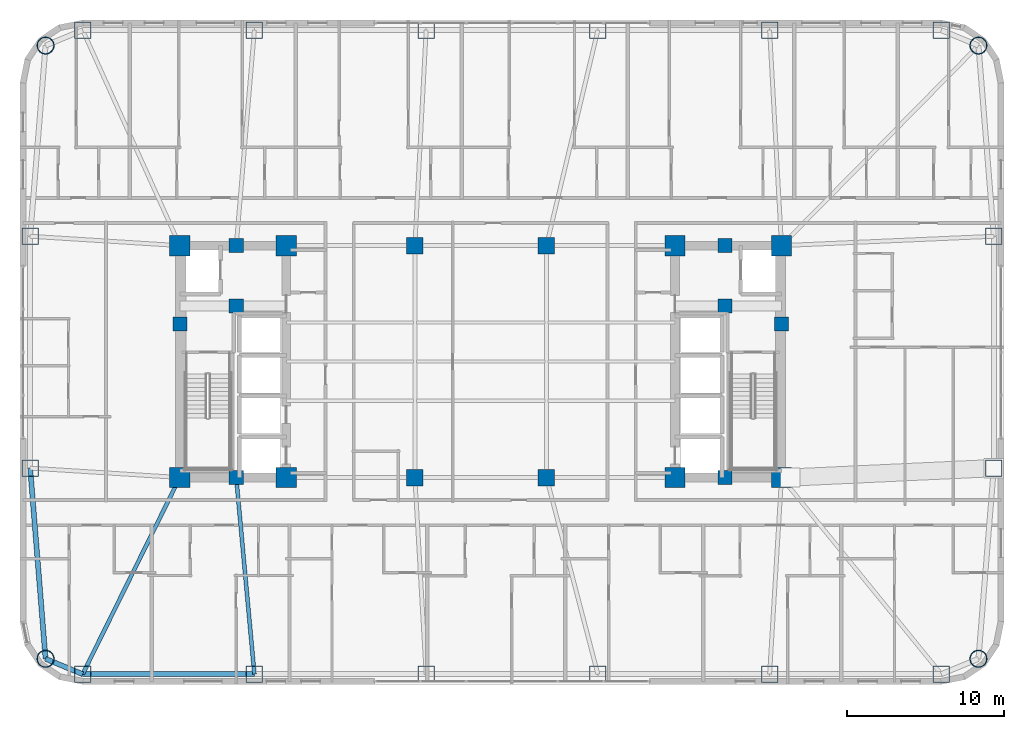
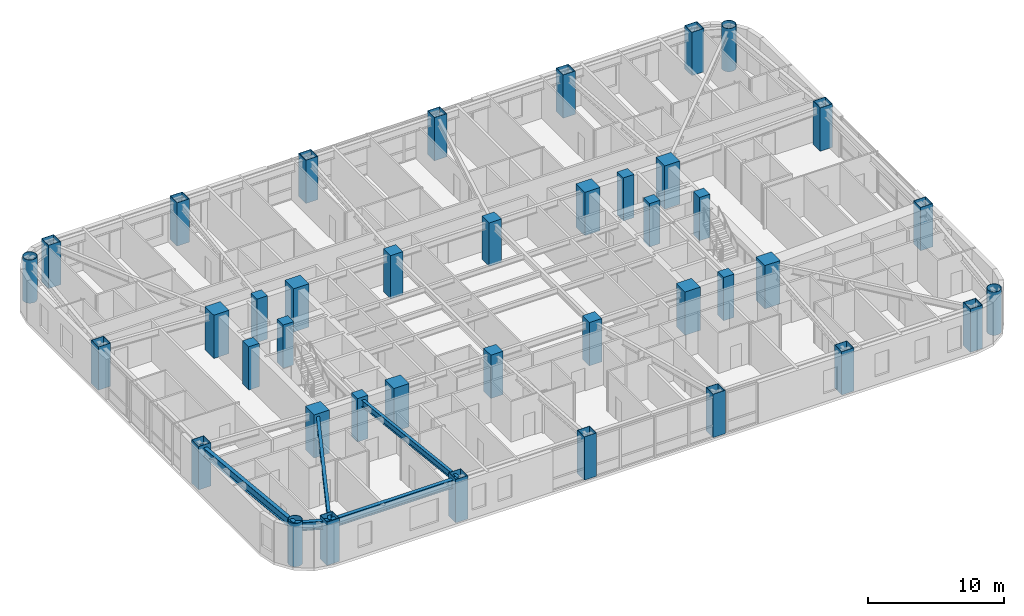
# One storey, part 1 of 28: 40 columns, 5 beams.
"""IFC4 building model written with IfcOpenShell, lengths in metres."""

from ifc_helpers import new_model, si_unit, direction, frame, origin, origin_2d, place, context, subcontext, project, spatial, rectangle, hollow_rectangle, hollow_circle, i_section, extrude, material, material_profile, profile_set, type_object, element, save


model = new_model("IFC4")

# Units and contexts
model_context = context("Model", 3, precision=1e-05, world=origin(), true_north=direction((0.0, 1.0)))
body_context = subcontext(model_context, "Body", "Model", "MODEL_VIEW")
ifc_project = project(units=[si_unit("LENGTHUNIT", "METRE"), si_unit("AREAUNIT", "SQUARE_METRE"), si_unit("VOLUMEUNIT", "CUBIC_METRE"), si_unit("PLANEANGLEUNIT", "RADIAN"), si_unit("MASSUNIT", "GRAM", prefix="KILO")], contexts=[model_context])

# Site, building, storey
site_placement = place(None, origin())
site = spatial("IfcSite", under=ifc_project, at=site_placement, CompositionType="ELEMENT")
building_placement = place(site_placement, origin())
building = spatial("IfcBuilding", under=site, at=building_placement, Name="Voryun Gate Residences", CompositionType="ELEMENT")
storey_placement = place(building_placement, frame((0.0, 0.0, 117.0)))
storey = spatial("IfcBuildingStorey", under=building, at=storey_placement, Name="L28", CompositionType="ELEMENT", Elevation=117.0)

# Columns
ifc_material_1 = material(Name="Concrete C50/60", Category="concrete")
ifc_material_profile_1 = material_profile(ifc_material_1, rectangle(XDim=1.050048828125, YDim=1.050048828125, at=origin_2d()), Name="RC-1050x1050")
ifc_profile_set_1 = profile_set([ifc_material_profile_1], Name="Concrete C50/60")
column_type_1 = type_object("IfcColumnType", Name="COL_CORE_1050", PredefinedType="COLUMN", material=ifc_profile_set_1)
for number, where, z_axis, x_axis, name in (
    (1, (-4.199951171875, -7.39990234375, 0.0), (0.0, 0.0, 1.0), (1.0, 0.0, 0.0), "L28 Interior spine column SP-WS"),
    (2, (-4.199951171875, 7.39990234375, 0.0), (0.0, 0.0, 1.0), (1.0, 0.0, 0.0), "L28 Interior spine column SP-WN"),
    (3, (4.199951171875, -7.39990234375, 0.0), (0.0, 0.0, 1.0), (1.0, 0.0, 0.0), "L28 Interior spine column SP-ES"),
    (4, (4.199951171875, 7.39990234375, 0.0), (0.0, 0.0, 1.0), (1.0, 0.0, 0.0), "L28 Interior spine column SP-EN"),
):
    element("IfcColumn", number, at=place(storey_placement, frame(where, z_axis=z_axis, x_axis=x_axis)), inside=storey, type_object=column_type_1, Name=name, PredefinedType="COLUMN", context=body_context, shape_type="SweptSolid", body=[
        extrude(rectangle(XDim=1.050048828125, YDim=1.050048828125, at=origin_2d()), origin(), (0.0, 0.0, 1.0), 3.89990234375),
    ])
ifc_material_2 = material(Name="Concrete C50/60", Category="concrete")
ifc_material_profile_2 = material_profile(ifc_material_2, rectangle(XDim=0.89990234375, YDim=0.89990234375, at=origin_2d()), Name="RC-900x900")
ifc_profile_set_2 = profile_set([ifc_material_profile_2], Name="Concrete C50/60")
column_type_2 = type_object("IfcColumnType", Name="COL_CORE_900", PredefinedType="COLUMN", material=ifc_profile_set_2)
for number, where, z_axis, x_axis, name in (
    (5, (-19.199951171875, 2.39990234375, 0.0), (0.0, 0.0, 1.0), (1.0, 0.0, 0.0), "L28 Core boundary column WC-MW"),
    (6, (-15.60009765625, -7.39990234375, 0.0), (0.0, 0.0, 1.0), (1.0, 0.0, 0.0), "L28 Core boundary column WC-SM"),
    (7, (-15.60009765625, 7.39990234375, 0.0), (0.0, 0.0, 1.0), (1.0, 0.0, 0.0), "L28 Core boundary column WC-NM"),
    (8, (-15.60009765625, 3.550048828125, 0.0), (0.0, 0.0, 1.0), (1.0, 0.0, 0.0), "L28 Core boundary column WC-MM"),
    (9, (15.60009765625, 3.550048828125, 0.0), (0.0, 0.0, 1.0), (1.0, 0.0, 0.0), "L28 Core boundary column EC-MM"),
    (10, (15.60009765625, -7.39990234375, 0.0), (0.0, 0.0, 1.0), (1.0, 0.0, 0.0), "L28 Core boundary column EC-SM"),
    (11, (15.60009765625, 7.39990234375, 0.0), (0.0, 0.0, 1.0), (1.0, 0.0, 0.0), "L28 Core boundary column EC-NM"),
    (12, (19.199951171875, 2.39990234375, 0.0), (0.0, 0.0, 1.0), (1.0, 0.0, 0.0), "L28 Core boundary column EC-ME"),
):
    element("IfcColumn", number, at=place(storey_placement, frame(where, z_axis=z_axis, x_axis=x_axis)), inside=storey, type_object=column_type_2, Name=name, PredefinedType="COLUMN", context=body_context, shape_type="SweptSolid", body=[
        extrude(rectangle(XDim=0.89990234375, YDim=0.89990234375, at=origin_2d()), origin(), (0.0, 0.0, 1.0), 3.89990234375),
    ])
ifc_material_3 = material(Name="Steel SM420", Category="steel")
ifc_material_profile_3 = material_profile(ifc_material_3, hollow_circle(Radius=0.550048828125, WallThickness=0.035888671875, at=origin_2d()), Name="CHS-1100x36")
ifc_profile_set_3 = profile_set([ifc_material_profile_3], Name="Steel SM420")
column_type_3 = type_object("IfcColumnType", Name="COL_CRN_1100", PredefinedType="COLUMN", material=ifc_profile_set_3)
for number, where, z_axis, x_axis, name in (
    (13, (31.768798828125, -18.96875, 0.0), (0.0, 0.0, 1.0), (1.0, 0.0, 0.0), "L28 Exoskeleton column CSE"),
    (14, (31.768798828125, 20.168701171875, 0.0), (0.0, 0.0, 1.0), (1.0, 0.0, 0.0), "L28 Exoskeleton column CNE"),
    (15, (-27.768798828125, 20.168701171875, 0.0), (0.0, 0.0, 1.0), (1.0, 0.0, 0.0), "L28 Exoskeleton column CNW"),
    (16, (-27.768798828125, -18.96875, 0.0), (0.0, 0.0, 1.0), (1.0, 0.0, 0.0), "L28 Exoskeleton column CSW"),
):
    element("IfcColumn", number, at=place(storey_placement, frame(where, z_axis=z_axis, x_axis=x_axis)), inside=storey, type_object=column_type_3, Name=name, PredefinedType="COLUMN", context=body_context, shape_type="SweptSolid", body=[
        extrude(hollow_circle(Radius=0.550048828125, WallThickness=0.035888671875, at=origin_2d()), origin(), (0.0, 0.0, 1.0), 3.89990234375),
    ])
ifc_material_4 = material(Name="Steel SM420", Category="steel")
ifc_material_profile_4 = material_profile(ifc_material_4, hollow_rectangle(XDim=1.050048828125, YDim=1.050048828125, WallThickness=0.035888671875, at=origin_2d()), Name="BOX-1050x1050x36")
ifc_profile_set_4 = profile_set([ifc_material_profile_4], Name="Steel SM420")
column_type_4 = type_object("IfcColumnType", Name="COL_EXO_B2", PredefinedType="COLUMN", material=ifc_profile_set_4)
for number, where, z_axis, x_axis, name in (
    (17, (-25.39990234375, -19.949951171875, 0.0), (0.0, 0.0, 1.0), (1.0, 0.0, 0.0), "L28 Exoskeleton column S1"),
    (18, (-14.43994140625, -19.949951171875, 0.0), (0.0, 0.0, 1.0), (1.0, 0.0, 0.0), "L28 Exoskeleton column S2"),
    (19, (-3.47998046875, -19.949951171875, 0.0), (0.0, 0.0, 1.0), (1.0, 0.0, 0.0), "L28 Exoskeleton column S3"),
    (20, (7.47998046875, -19.949951171875, 0.0), (0.0, 0.0, 1.0), (1.0, 0.0, 0.0), "L28 Exoskeleton column S4"),
    (21, (18.43994140625, -19.949951171875, 0.0), (0.0, 0.0, 1.0), (1.0, 0.0, 0.0), "L28 Exoskeleton column S5"),
    (22, (29.39990234375, -19.949951171875, 0.0), (0.0, 0.0, 1.0), (1.0, 0.0, 0.0), "L28 Exoskeleton column S6"),
    (23, (32.75, -6.798095703125, 0.0), (0.0, 0.0, 1.0), (1.0, 0.0, 0.0), "L28 Exoskeleton column E1"),
    (24, (32.75, 7.998046875, 0.0), (0.0, 0.0, 1.0), (1.0, 0.0, 0.0), "L28 Exoskeleton column E2"),
    (25, (29.39990234375, 21.14990234375, 0.0), (0.0, 0.0, 1.0), (1.0, 0.0, 0.0), "L28 Exoskeleton column N1"),
    (26, (18.43994140625, 21.14990234375, 0.0), (0.0, 0.0, 1.0), (1.0, 0.0, 0.0), "L28 Exoskeleton column N2"),
    (27, (7.47998046875, 21.14990234375, 0.0), (0.0, 0.0, 1.0), (1.0, 0.0, 0.0), "L28 Exoskeleton column N3"),
    (28, (-3.47998046875, 21.14990234375, 0.0), (0.0, 0.0, 1.0), (1.0, 0.0, 0.0), "L28 Exoskeleton column N4"),
    (29, (-14.43994140625, 21.14990234375, 0.0), (0.0, 0.0, 1.0), (1.0, 0.0, 0.0), "L28 Exoskeleton column N5"),
    (30, (-25.39990234375, 21.14990234375, 0.0), (0.0, 0.0, 1.0), (1.0, 0.0, 0.0), "L28 Exoskeleton column N6"),
    (31, (-28.75, 7.998046875, 0.0), (0.0, 0.0, 1.0), (1.0, 0.0, 0.0), "L28 Exoskeleton column W1"),
    (32, (-28.75, -6.798095703125, 0.0), (0.0, 0.0, 1.0), (1.0, 0.0, 0.0), "L28 Exoskeleton column W2"),
):
    element("IfcColumn", number, at=place(storey_placement, frame(where, z_axis=z_axis, x_axis=x_axis)), inside=storey, type_object=column_type_4, Name=name, PredefinedType="COLUMN", context=body_context, shape_type="SweptSolid", body=[
        extrude(hollow_rectangle(XDim=1.050048828125, YDim=1.050048828125, WallThickness=0.035888671875, at=origin_2d()), origin(), (0.0, 0.0, 1.0), 3.89990234375),
    ])
ifc_material_5 = material(Name="Concrete C60/75", Category="concrete")
ifc_material_profile_5 = material_profile(ifc_material_5, rectangle(XDim=1.300048828125, YDim=1.300048828125, at=origin_2d()), Name="RC-1300x1300")
ifc_profile_set_5 = profile_set([ifc_material_profile_5], Name="Concrete C60/75")
column_type_5 = type_object("IfcColumnType", Name="COL_MEGA_1300", PredefinedType="COLUMN", material=ifc_profile_set_5)
for number, where, z_axis, x_axis, name in (
    (33, (-19.199951171875, -7.39990234375, 0.0), (0.0, 0.0, 1.0), (1.0, 0.0, 0.0), "L28 Core boundary column WC-SW"),
    (34, (-19.199951171875, 7.39990234375, 0.0), (0.0, 0.0, 1.0), (1.0, 0.0, 0.0), "L28 Core boundary column WC-NW"),
    (35, (-12.39990234375, -7.39990234375, 0.0), (0.0, 0.0, 1.0), (1.0, 0.0, 0.0), "L28 Core boundary column WC-SE"),
    (36, (-12.39990234375, 7.39990234375, 0.0), (0.0, 0.0, 1.0), (1.0, 0.0, 0.0), "L28 Core boundary column WC-NE"),
    (37, (12.39990234375, -7.39990234375, 0.0), (0.0, 0.0, 1.0), (1.0, 0.0, 0.0), "L28 Core boundary column EC-SW"),
    (38, (12.39990234375, 7.39990234375, 0.0), (0.0, 0.0, 1.0), (1.0, 0.0, 0.0), "L28 Core boundary column EC-NW"),
    (39, (19.199951171875, -7.39990234375, 0.0), (0.0, 0.0, 1.0), (1.0, 0.0, 0.0), "L28 Core boundary column EC-SE"),
    (40, (19.199951171875, 7.39990234375, 0.0), (0.0, 0.0, 1.0), (1.0, 0.0, 0.0), "L28 Core boundary column EC-NE"),
):
    element("IfcColumn", number, at=place(storey_placement, frame(where, z_axis=z_axis, x_axis=x_axis)), inside=storey, type_object=column_type_5, Name=name, PredefinedType="COLUMN", context=body_context, shape_type="SweptSolid", body=[
        extrude(rectangle(XDim=1.300048828125, YDim=1.300048828125, at=origin_2d()), origin(), (0.0, 0.0, 1.0), 3.89990234375),
    ])

# Beams
ifc_material_6 = material(Name="Steel SM355", Category="steel")
ifc_material_profile_6 = material_profile(ifc_material_6, i_section(OverallWidth=0.320068359375, OverallDepth=0.75, WebThickness=0.01611328125, FlangeThickness=0.028076171875, FilletRadius=0.01806640625, at=origin_2d()), Name="H-750x320x16x28")
ifc_profile_set_6 = profile_set([ifc_material_profile_6], Name="Steel SM355")
beam_type_1 = type_object("IfcBeamType", Name="BM_EXO_SPANDREL_L", PredefinedType="SPANDREL", material=ifc_profile_set_6)
beam_1_placement = place(storey_placement, frame((-25.39990234375, -19.949951171875, 3.27490234375), z_axis=(1.0, 0.0, 0.0), x_axis=(0.0, 1.0, 0.0)))
element("IfcBeam", 41, at=beam_1_placement, inside=storey, type_object=beam_type_1, Name="BM-L28-SPAND-01", PredefinedType="SPANDREL", context=body_context, shape_type="SweptSolid", body=[
    extrude(i_section(OverallWidth=0.320068359375, OverallDepth=0.75, WebThickness=0.01611328125, FlangeThickness=0.028076171875, FilletRadius=0.01806640625, at=origin_2d()), origin(), (0.0, 0.0, 1.0), 10.9599609375),
])
beam_2_placement = place(storey_placement, frame((-28.75, -6.798095703125, 3.27490234375), z_axis=(0.080359517973, -0.996765944378, 0.0), x_axis=(0.996765944378, 0.080359517973, 0.0)))
element("IfcBeam", 42, at=beam_2_placement, inside=storey, type_object=beam_type_1, Name="BM-L28-SPAND-19", PredefinedType="SPANDREL", context=body_context, shape_type="SweptSolid", body=[
    extrude(i_section(OverallWidth=0.320068359375, OverallDepth=0.75, WebThickness=0.01611328125, FlangeThickness=0.028076171875, FilletRadius=0.01806640625, at=origin_2d()), origin(), (0.0, 0.0, 1.0), 12.210205078125),
])
beam_3_placement = place(storey_placement, frame((-27.768798828125, -18.96875, 3.27490234375), z_axis=(0.923883376753, -0.382674151414, 0.0), x_axis=(0.382674151414, 0.923883376753, 0.0)))
element("IfcBeam", 43, at=beam_3_placement, inside=storey, type_object=beam_type_1, Name="BM-L28-SPAND-20", PredefinedType="SPANDREL", context=body_context, shape_type="SweptSolid", body=[
    extrude(i_section(OverallWidth=0.320068359375, OverallDepth=0.75, WebThickness=0.01611328125, FlangeThickness=0.028076171875, FilletRadius=0.01806640625, at=origin_2d()), origin(), (0.0, 0.0, 1.0), 2.56396484375),
])
ifc_material_7 = material(Name="Steel SM355", Category="steel")
ifc_material_profile_7 = material_profile(ifc_material_7, i_section(OverallWidth=0.25, OverallDepth=0.60009765625, WebThickness=0.011962890625, FlangeThickness=0.02197265625, FilletRadius=0.01806640625, at=origin_2d()), Name="H-600x250x12x22")
ifc_profile_set_7 = profile_set([ifc_material_profile_7], Name="Steel SM355")
beam_type_2 = type_object("IfcBeamType", Name="BM_GIRD_600", PredefinedType="USERDEFINED", material=ifc_profile_set_7)
beam_4_placement = place(storey_placement, frame((-19.199951171875, -7.39990234375, 3.35009765625), z_axis=(-0.442917927955, -0.896562161312, 0.0), x_axis=(0.896562161312, -0.442917927955, 0.0)))
element("IfcBeam", 44, at=beam_4_placement, inside=storey, type_object=beam_type_2, Name="BM-L28-RAD-S1", ObjectType="GIRDER", PredefinedType="USERDEFINED", context=body_context, shape_type="SweptSolid", body=[
    extrude(i_section(OverallWidth=0.25, OverallDepth=0.60009765625, WebThickness=0.011962890625, FlangeThickness=0.02197265625, FilletRadius=0.01806640625, at=origin_2d()), origin(), (0.0, 0.0, 1.0), 13.998046875),
])
beam_5_placement = place(storey_placement, frame((-15.60009765625, -7.39990234375, 3.35009765625), z_axis=(0.092049895705, -0.995754395773, 0.0), x_axis=(0.995754395773, 0.092049895705, 0.0)))
element("IfcBeam", 45, at=beam_5_placement, inside=storey, type_object=beam_type_2, Name="BM-L28-RAD-S2", ObjectType="GIRDER", PredefinedType="USERDEFINED", context=body_context, shape_type="SweptSolid", body=[
    extrude(i_section(OverallWidth=0.25, OverallDepth=0.60009765625, WebThickness=0.011962890625, FlangeThickness=0.02197265625, FilletRadius=0.01806640625, at=origin_2d()), origin(), (0.0, 0.0, 1.0), 12.603515625),
])

save(model, "model.ifc")
